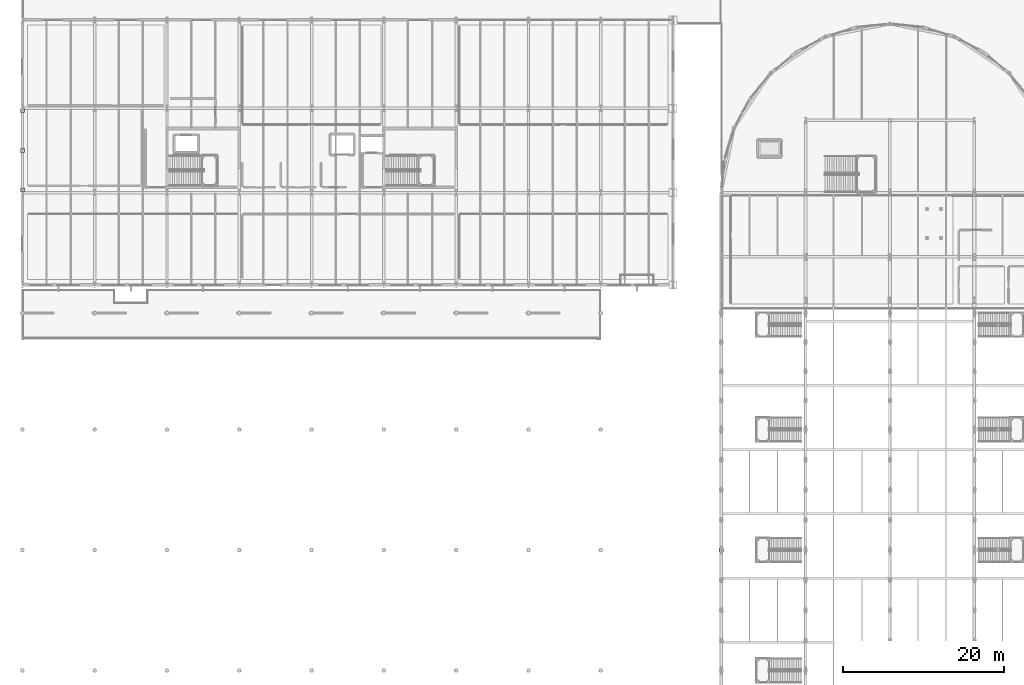
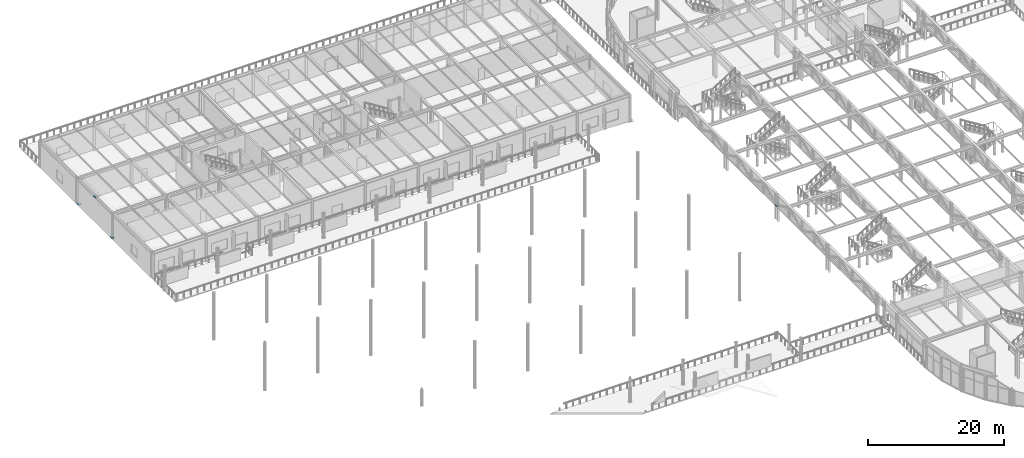
# One storey, part 78 of 143: 4 plates.
"""IFC4 building model written with IfcOpenShell, lengths in metres."""

import ifcopenshell
import ifcopenshell.guid

model = None  # the IFC model being written
_history = None  # IfcOwnerHistory: only IFC2X3 demands one
_inside = {}  # id of a spatial element -> (the spatial element, [elements in it])
_under = {}  # id of a project, library or spatial element -> (it, [spatial elements below it])
_declared = {}  # id of a project -> (the project, [libraries it declares])
_typed = {}  # id of a type object -> (the type object, [elements of that type])
_made_of = {}  # id of a material, layer set ... -> (it, [elements and type objects made of it])


def new_model(schema):
    """Start an empty IFC model of exactly this schema.

    Asked for "IFC4X3", IfcOpenShell would pick the latest addendum, in which some entities
    have other attributes; the version numbers below select the first issue.
    IFC2X3 requires an IfcOwnerHistory on every rooted entity: one is made here for all.
    """
    global model, _history
    if schema == "IFC4X3":
        model = ifcopenshell.file(schema_version=(4, 3, 0, 0))
    else:
        model = ifcopenshell.file(schema=schema)
    _inside.clear()
    _under.clear()
    _declared.clear()
    _typed.clear()
    _made_of.clear()
    _history = None
    if model.schema == "IFC2X3":
        org = make("IfcOrganization", Name="unknown")
        user = make(
            "IfcPersonAndOrganization",
            ThePerson=make("IfcPerson", FamilyName="unknown"),
            TheOrganization=org,
        )
        app = make(
            "IfcApplication",
            ApplicationDeveloper=org,
            Version="unknown",
            ApplicationFullName="unknown",
            ApplicationIdentifier="unknown",
        )
        _history = make(
            "IfcOwnerHistory",
            OwningUser=user,
            OwningApplication=app,
            ChangeAction="ADDED",
            CreationDate=0,
        )
    return model


def make(cls, **values):
    """One entity of the class cls with the attributes given. An attribute that is None is left unset."""
    return model.create_entity(
        cls, **{name: value for name, value in values.items() if value is not None}
    )


def rooted(cls, **values):
    """An entity with a GlobalId (a new one), such as an element, a storey or a relation."""
    return make(cls, GlobalId=ifcopenshell.guid.new(), OwnerHistory=_history, **values)


def si_unit(unit_type, name, prefix=None):
    """IfcSIUnit, for example si_unit("LENGTHUNIT", "METRE", prefix="MILLI")."""
    return make("IfcSIUnit", UnitType=unit_type, Prefix=prefix, Name=name)


def assignment(units):
    """IfcUnitAssignment: the units of a project."""
    return None if units is None else make("IfcUnitAssignment", Units=units)


def point(xyz):
    """IfcCartesianPoint."""
    return None if xyz is None else make("IfcCartesianPoint", Coordinates=xyz)


def direction(xyz):
    """IfcDirection."""
    return None if xyz is None else make("IfcDirection", DirectionRatios=xyz)


def frame(location, z_axis=None, x_axis=None):
    """IfcAxis2Placement3D, a coordinate frame: its origin and axes. An axis left out is left unset."""
    return make(
        "IfcAxis2Placement3D",
        Location=point(location),
        Axis=direction(z_axis),
        RefDirection=direction(x_axis),
    )


def frame_2d(location, x_axis=None):
    """IfcAxis2Placement2D, a coordinate frame in the plane: its origin and x axis."""
    return make(
        "IfcAxis2Placement2D", Location=point(location), RefDirection=direction(x_axis)
    )


def origin():
    """The frame at (0, 0, 0) with its axes left unset."""
    return frame((0.0, 0.0, 0.0))


def origin_2d():
    """The frame at (0, 0) in the plane with its x axis left unset."""
    return frame_2d((0.0, 0.0))


def place(relative_to, where):
    """IfcLocalPlacement: puts the frame where relative to a parent placement (None: the world)."""
    return make(
        "IfcLocalPlacement", PlacementRelTo=relative_to, RelativePlacement=where
    )


def context(
    kind, dimensions, precision=None, world=None, true_north=None, identifier=None
):
    """IfcGeometricRepresentationContext, for example the 3D "Model" context."""
    return make(
        "IfcGeometricRepresentationContext",
        ContextIdentifier=identifier,
        ContextType=kind,
        CoordinateSpaceDimension=dimensions,
        Precision=precision,
        WorldCoordinateSystem=world,
        TrueNorth=true_north,
    )


def subcontext(parent, identifier, kind, view, scale=None):
    """IfcGeometricRepresentationSubContext, for example "Body" below "Model"."""
    return make(
        "IfcGeometricRepresentationSubContext",
        ContextIdentifier=identifier,
        ContextType=kind,
        ParentContext=parent,
        TargetScale=scale,
        TargetView=view,
    )


def project(units=None, contexts=None):
    """IfcProject with its units and contexts."""
    return rooted(
        "IfcProject",
        Name="project",
        RepresentationContexts=contexts,
        UnitsInContext=assignment(units),
    )


def spatial(cls, under=None, at=None, **own):
    """A site, building, storey or space (cls), placed at a placement, below another one or the project."""
    s = rooted(cls, ObjectPlacement=at, **own)
    if under is not None:
        _under.setdefault(under.id(), (under, []))[1].append(s)
    return s


def profile(cls, at=None, kind="AREA", **sizes):
    """A parametric profile (cls). Its sizes go by their IFC names, for example OverallWidth=200.0."""
    return make(cls, ProfileType=kind, Position=at, **sizes)


def rectangle(**sizes):
    """IfcRectangleProfileDef."""
    return profile("IfcRectangleProfileDef", **sizes)


def extrude(swept, where, along, depth):
    """IfcExtrudedAreaSolid: the profile swept, set in the frame where, extruded along a direction by depth."""
    return make(
        "IfcExtrudedAreaSolid",
        SweptArea=swept,
        Position=where,
        ExtrudedDirection=direction(along),
        Depth=depth,
    )


def shape(context_of_items, identifier, shape_type, items):
    """IfcShapeRepresentation: the items that make up one representation, for example the "Body"."""
    return make(
        "IfcShapeRepresentation",
        ContextOfItems=context_of_items,
        RepresentationIdentifier=identifier,
        RepresentationType=shape_type,
        Items=items,
    )


def material(Name=None, Category=None):
    """IfcMaterial."""
    return make("IfcMaterial", Name=Name, Category=Category)


def layer(
    of_material, thickness, ventilated=None, Name=None, Category=None, Priority=None
):
    """IfcMaterialLayer: one layer of a wall or slab, of a material (None: an air gap)."""
    return make(
        "IfcMaterialLayer",
        Material=of_material,
        LayerThickness=thickness,
        IsVentilated=ventilated,
        Name=Name,
        Category=Category,
        Priority=Priority,
    )


def layer_set(layers, Name=None):
    """IfcMaterialLayerSet."""
    return make("IfcMaterialLayerSet", MaterialLayers=layers, LayerSetName=Name)


def made_of(thing, what):
    """Note that an element or type object is made of a material, layer set ...; save() writes the relation."""
    if what is not None:
        _made_of.setdefault(what.id(), (what, []))[1].append(thing)
    return thing


def type_object(cls, material=None, **own):
    """A type object (cls), such as IfcWallType, which elements share."""
    return made_of(rooted(cls, **own), material)


def element(
    cls,
    number,
    at=None,
    inside=None,
    cuts=None,
    type_object=None,
    material=None,
    context=None,
    identifier="Body",
    shape_type=None,
    held_by="IfcProductDefinitionShape",
    body=None,
    shapes=None,
    **own,
):
    """One element of the class cls, such as IfcWall. Its Tag is "e" and its number.

    at: its placement. inside: the storey or other place that contains it. cuts: it is an
    opening in that element (IfcRelVoidsElement). A single representation is given by context,
    identifier, shape_type and body (its items); several are given by shapes. held_by: the class
    of the entity that holds the representations. save() writes the other relations.
    """
    e = rooted(cls, Tag="e%d" % number, ObjectPlacement=at, **own)
    if body is not None:
        shapes = [shape(context, identifier, shape_type, body)]
    if shapes is not None:
        e.Representation = make(held_by, Representations=shapes)
    if inside is not None:
        _inside.setdefault(inside.id(), (inside, []))[1].append(e)
    if cuts is not None:
        rooted(
            "IfcRelVoidsElement", RelatingBuildingElement=cuts, RelatedOpeningElement=e
        )
    if type_object is not None:
        _typed.setdefault(type_object.id(), (type_object, []))[1].append(e)
    return made_of(e, material)


def aggregate(whole, parts):
    """IfcRelAggregates: a whole, such as a stair, and the parts it consists of."""
    return rooted("IfcRelAggregates", RelatingObject=whole, RelatedObjects=parts)


def save(model, path):
    """Write the relations noted so far, then the file.

    IfcRelAggregates (storeys below a building ...), IfcRelContainedInSpatialStructure (elements
    in a storey), IfcRelDefinesByType, IfcRelAssociatesMaterial and IfcRelDeclares: one each for
    every whole, place, type object, material and project.
    """
    for whole, parts in _under.values():
        aggregate(whole, parts)
    for where, things in _inside.values():
        rooted(
            "IfcRelContainedInSpatialStructure",
            RelatedElements=things,
            RelatingStructure=where,
        )
    for kind, things in _typed.values():
        rooted("IfcRelDefinesByType", RelatedObjects=things, RelatingType=kind)
    for what, things in _made_of.values():
        rooted("IfcRelAssociatesMaterial", RelatedObjects=things, RelatingMaterial=what)
    for by, libraries in _declared.values():
        rooted("IfcRelDeclares", RelatingContext=by, RelatedDefinitions=libraries)
    model.write(path)


model = new_model("IFC4")

# Units and contexts
model_context = context("Model", 3, precision=1e-05, world=origin(), true_north=direction((0.0, 1.0)))
body_context = subcontext(model_context, "Body", "Model", "MODEL_VIEW")
ifc_project = project(units=[si_unit("LENGTHUNIT", "METRE"), si_unit("AREAUNIT", "SQUARE_METRE"), si_unit("VOLUMEUNIT", "CUBIC_METRE"), si_unit("PLANEANGLEUNIT", "RADIAN"), si_unit("MASSUNIT", "GRAM", prefix="KILO")], contexts=[model_context])

# Site, building, storey
site_placement = place(None, origin())
site = spatial("IfcSite", under=ifc_project, at=site_placement, CompositionType="ELEMENT")
building_placement = place(site_placement, origin())
building = spatial("IfcBuilding", under=site, at=building_placement, Name="Marlcrest Central Station", CompositionType="ELEMENT")
storey_placement = place(building_placement, frame((0.0, 0.0, 4.800048828125)))
storey = spatial("IfcBuildingStorey", under=building, at=storey_placement, Name="L01", CompositionType="ELEMENT", Elevation=4.800048828125)

# Plates
ifc_material = material(Name="Steel S355", Category="steel")
ifc_layer = layer(ifc_material, 0.02001953125, Name="GP-03")
ifc_layer_set = layer_set([ifc_layer], Name="Steel S355")
plate_type = type_object("IfcPlateType", Name="GP-03", PredefinedType="USERDEFINED", material=ifc_layer_set)
for number, where, z_axis, x_axis, name in (
    (1, (0.0, 110.800048828125, 0.239990234375), (0.0, 0.0, 1.0), (1.0, 0.0, 0.0), "plt-cap-00044"),
    (2, (0.0, 115.75, 4.56005859375), (0.0, 0.0, 1.0), (1.0, 0.0, 0.0), "plt-cap-00045"),
    (3, (0.0, 120.699951171875, 0.239990234375), (0.0, 0.0, 1.0), (1.0, 0.0, 0.0), "plt-cap-00046"),
    (4, (87.0, 66.0, 2.73486328125), (0.0, 0.0, 1.0), (1.0, 0.0, 0.0), "plt-cap-01064"),
):
    element("IfcPlate", number, at=place(storey_placement, frame(where, z_axis=z_axis, x_axis=x_axis)), inside=storey, type_object=plate_type, Name=name, ObjectType="GUSSET_PLATE", PredefinedType="USERDEFINED", context=body_context, shape_type="SweptSolid", body=[
        extrude(rectangle(XDim=0.5, YDim=0.5, at=origin_2d()), origin(), (0.0, 0.0, 1.0), 0.02001953125),
    ])

save(model, "model.ifc")
